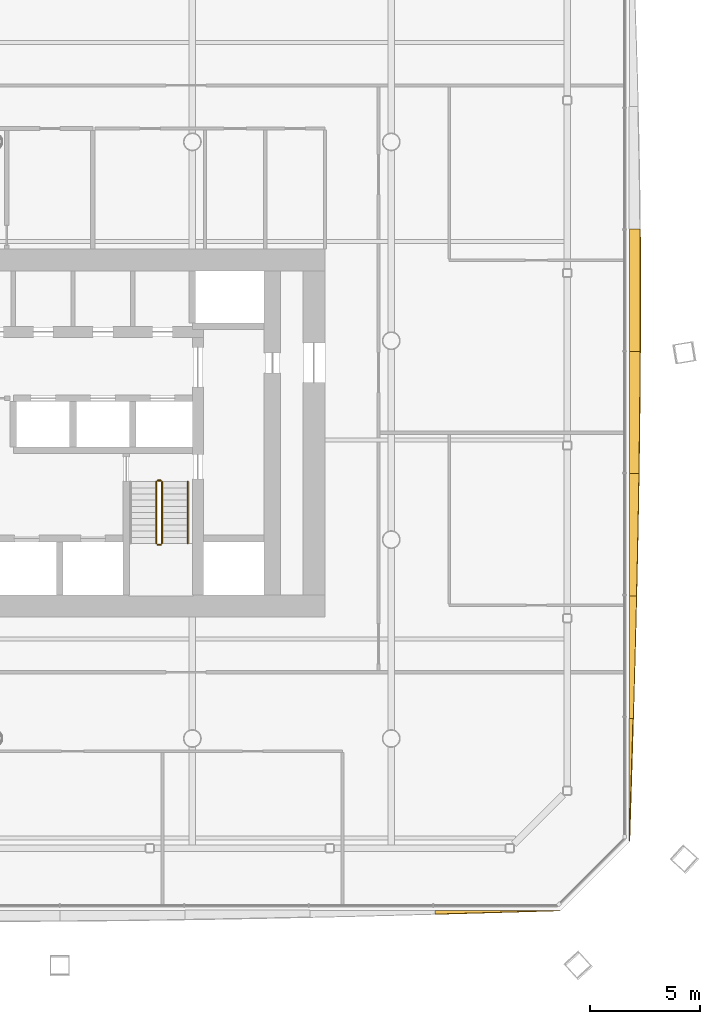
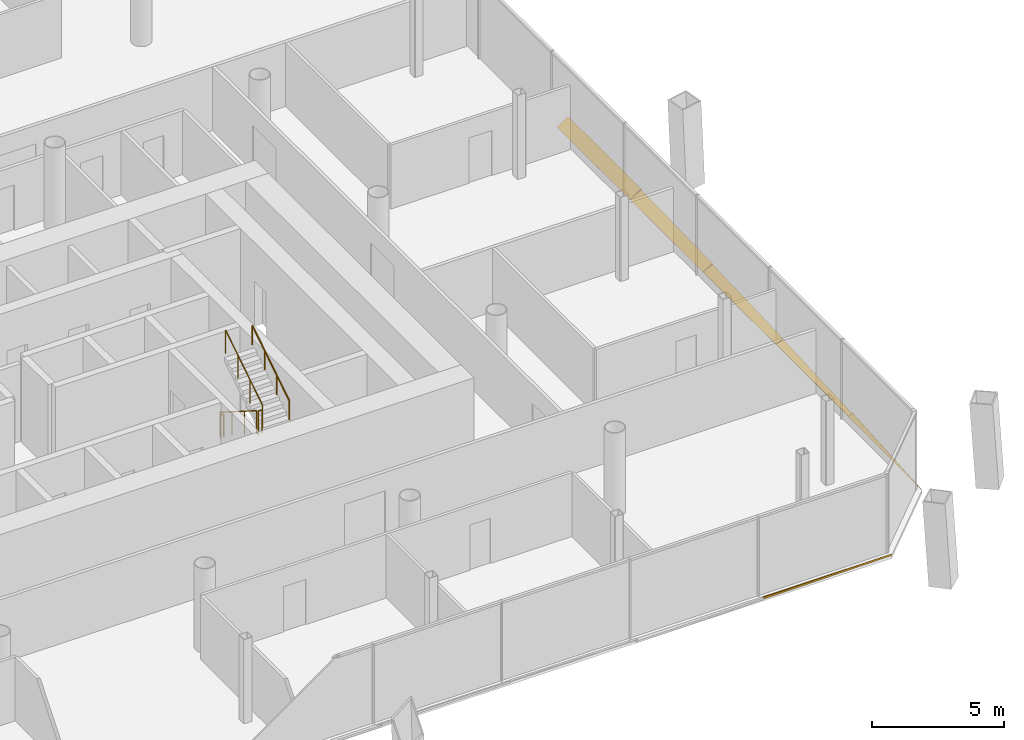
# One storey, part 18 of 20: 6 shading devices, 5 railings.
"""IFC4 building model written with IfcOpenShell, lengths in metres."""

from ifc_helpers import new_model, si_unit, direction, frame, origin, origin_2d, place, context, subcontext, project, spatial, polyline, circle, outline, extrude, material, layer, layer_set, type_object, element, save


model = new_model("IFC4")

# Units and contexts
model_context = context("Model", 3, precision=1e-05, world=origin(), true_north=direction((0.0, 1.0)))
body_context = subcontext(model_context, "Body", "Model", "MODEL_VIEW")
ifc_project = project(units=[si_unit("LENGTHUNIT", "METRE"), si_unit("AREAUNIT", "SQUARE_METRE"), si_unit("VOLUMEUNIT", "CUBIC_METRE"), si_unit("PLANEANGLEUNIT", "RADIAN"), si_unit("MASSUNIT", "GRAM", prefix="KILO")], contexts=[model_context])

# Site, building, storey
site_placement = place(None, origin())
site = spatial("IfcSite", under=ifc_project, at=site_placement, CompositionType="ELEMENT")
building_placement = place(site_placement, origin())
building = spatial("IfcBuilding", under=site, at=building_placement, Name="Tskaro Facet Tower", CompositionType="ELEMENT")
storey_placement = place(building_placement, frame((0.0, 0.0, 69.89990234375)))
storey = spatial("IfcBuildingStorey", under=building, at=storey_placement, Name="L16", CompositionType="ELEMENT", Elevation=69.89990234375)

# Shading devices
ifc_material_1 = material(Name="Bronze anodised aluminium 6063-T6", Category="aluminium")
ifc_layer = layer(ifc_material_1, 0.06005859375, Name="Bronze anodised aluminium 6063-T6")
ifc_layer_set = layer_set([ifc_layer], Name="Bronze anodised aluminium 6063-T6")
shading_device_type = type_object("IfcShadingDeviceType", Name="Bronze sun blade (FN1)", PredefinedType="USERDEFINED", material=ifc_layer_set)
shading_device_1_placement = place(storey_placement, frame((19.976318359375, -25.78369140625, 0.054443359375), z_axis=(1.750533e-06, 0.422978036947, 0.906139934148), x_axis=(0.999999999998, -7.40437e-07, -1.586228e-06)))
element("IfcShadingDevice", 1, at=shading_device_1_placement, inside=storey, type_object=shading_device_type, Name="Fin blade south 8", ObjectType="FIN", PredefinedType="USERDEFINED", context=body_context, shape_type="SweptSolid", body=[
    extrude(outline(polyline([(0.0, 0.0), (5.6586914062413305, 0.0), (4.951416015311651, -0.022713592760361036), (4.243896484325004, -0.04554514496828096), (3.536621093782589, -0.06815547160634026), (2.829345703240172, -0.09076579824439958), (2.1220703125169846, -0.11315489931259826), (1.4145507813752893, -0.1352195086886346), (0.7072753906778229, -0.15706289249481034), (-1.964351925393242e-11, -0.17890627630098604), (0.0, 0.0)])), origin(), (0.0, 0.0, -1.0), 0.06005859375),
])
shading_device_2_placement = place(storey_placement, frame((28.7705078125, -22.635009765625, 0.046142578125), z_axis=(-0.642691050268, -6.797587e-06, 0.766125455692), x_axis=(-4.368749e-06, 0.999999999977, 5.207805e-06)))
element("IfcShadingDevice", 2, at=shading_device_2_placement, inside=storey, type_object=shading_device_type, Name="Fin blade east 1", ObjectType="FIN", PredefinedType="USERDEFINED", context=body_context, shape_type="SweptSolid", body=[
    extrude(outline(polyline([(0.0, 0.0), (5.539062499872029, 0.0), (5.539062500129815, -0.21800158070501957), (4.846679687172129, -0.19149357622657698), (4.154296875281033, -0.16479852940054898), (3.4619140621185003, -0.13794657557982312), (2.769531249817709, -0.11056363006922848), (2.0771484375169176, -0.08318068455863384), (1.3847656250112783, -0.055453789705755895), (0.6923828125056392, -0.027726894852877947), (0.0, 0.0)])), origin(), (0.0, 0.0, -1.0), 0.06005859375),
])
shading_device_3_placement = place(storey_placement, frame((28.78857421875, -17.095947265625, 0.056396484375), z_axis=(-0.342520031381, -9.446816e-06, 0.93951052576), x_axis=(-3.235724e-06, 0.999999999955, 8.875383e-06)))
element("IfcShadingDevice", 3, at=shading_device_3_placement, inside=storey, type_object=shading_device_type, Name="Fin blade east 2", ObjectType="FIN", PredefinedType="USERDEFINED", context=body_context, shape_type="SweptSolid", body=[
    extrude(outline(polyline([(0.0, 0.0), (5.53930664037783, 0.0), (5.539306640723036, -0.3341924880141389), (4.8469238278009605, -0.3165045689371305), (4.154296873666998, -0.2982742814316554), (3.4619140625279403, -0.27935587586529026), (2.7695312508019834, -0.2598951018704584), (2.0771484376991562, -0.24012133213412318), (1.3847656247994031, -0.21957582128235786), (0.6923828126896215, -0.19880093774362917), (-7.970302385019059e-10, -0.17771305846339713), (0.0, 0.0)])), origin(), (0.0, 0.0, -1.0), 0.06005859375),
])
shading_device_4_placement = place(storey_placement, frame((28.78369140625, -11.556640625, 0.054443359375), z_axis=(-0.422749347894, -1.0441903e-05, 0.906246648957), x_axis=(-4.414307e-06, 0.999999999945, 9.462939e-06)))
element("IfcShadingDevice", 4, at=shading_device_4_placement, inside=storey, type_object=shading_device_type, Name="Fin blade east 3", ObjectType="FIN", PredefinedType="USERDEFINED", context=body_context, shape_type="SweptSolid", body=[
    extrude(outline(polyline([(0.0, 0.0), (5.539062499698029, 0.0), (5.539062500123551, -0.4676931529512414), (4.846679686409707, -0.45524495189936665), (4.154296875928996, -0.442132995977614), (3.4619140617505595, -0.42804765431592695), (2.7695312508052568, -0.4132985577843621), (2.077148438472514, -0.3976792858028817), (1.3847656236746189, -0.3814110899947784), (0.6923828121098593, -0.3644791393167972), (-8.423407446502926e-10, -0.34667701318890054), (0.0, 0.0)])), origin(), (0.0, 0.0, -1.0), 0.06005859375),
])
shading_device_5_placement = place(storey_placement, frame((28.779052734375, -6.017578125, 0.052001953125), z_axis=(-0.500129535798, 6.124547e-06, 0.865950603317), x_axis=(3.063067e-06, 0.999999999981, -5.303555e-06)))
element("IfcShadingDevice", 5, at=shading_device_5_placement, inside=storey, type_object=shading_device_type, Name="Fin blade east 4", ObjectType="FIN", PredefinedType="USERDEFINED", context=body_context, shape_type="SweptSolid", body=[
    extrude(outline(polyline([(0.0, 0.0), (5.539062499896115, 0.0), (5.539062499858452, -0.5579502693906725), (4.846679688153641, -0.5528017010913858), (4.154296874752367, -0.5466853759685785), (3.4619140616972617, -0.5396906058063147), (2.7695312502831393, -0.5316952886671412), (2.0771484377195484, -0.5223986990454773), (1.3847656249551328, -0.5125571800433267), (0.6923828123360615, -0.5012922866212328), (-4.838347048180738e-10, -0.48948246381865207), (0.0, 0.0)])), origin(), (0.0, 0.0, -1.0), 0.06005859375),
])
shading_device_6_placement = place(storey_placement, frame((28.774658203125, -0.478515625, 0.04931640625), z_axis=(-0.573571252044, -7.136483e-06, 0.819155674324), x_axis=(-4.093282e-06, 0.999999999975, 5.845891e-06)))
element("IfcShadingDevice", 6, at=shading_device_6_placement, inside=storey, type_object=shading_device_type, Name="Fin blade east 5", ObjectType="FIN", PredefinedType="USERDEFINED", context=body_context, shape_type="SweptSolid", body=[
    extrude(outline(polyline([(0.0, 0.0), (5.53906249985895, 2.3458842172003865e-21), (5.539062500444856, -0.5860028490838243), (4.846679686957496, -0.5921630704437044), (4.154296875184496, -0.5967032606018643), (3.461914061843534, -0.5990033342481178), (2.9245605470879834, -0.5996833766926509), (2.7695312502169314, -0.5996833766926509), (2.0771484378781326, -0.5988033450698109), (1.3847656242556847, -0.5969032497801712), (0.6923828127754796, -0.5937231445110777), (1.1625350698880822e-11, -0.5895229755751844), (0.0, 0.0)])), origin(), (0.0, 0.0, -1.0), 0.06005859375),
])

# Railings
ifc_material_2 = material(Name="Stainless steel", Category="steel")
railing_type_1 = type_object("IfcRailingType", Name="RL-GUARD-1100", PredefinedType="GUARDRAIL", material=ifc_material_2)
railing_1_placement = place(storey_placement, frame((7.375, -6.375, 0.177490234375)))
element("IfcRailing", 7, at=railing_1_placement, inside=storey, type_object=railing_type_1, Name="L16 ST-2 stair guard 1", PredefinedType="GUARDRAIL", context=body_context, shape_type="SweptSolid", body=[
    extrude(circle(Radius=0.02392578125, at=origin_2d()), frame((0.0, 0.0, 1.076171875), z_axis=(0.0, -0.844908973607, 0.534910110503), x_axis=(1.0, 0.0, 0.0)), (0.0, 0.0, 1.0), 3.31396484375),
    extrude(circle(Radius=0.02099609375, at=origin_2d()), origin(), (0.0, 0.0, 1.0), 1.052001953125),
    extrude(circle(Radius=0.02099609375, at=origin_2d()), frame((0.0, -0.933349609375, 0.5908203125)), (0.0, 0.0, 1.0), 1.052001953125),
    extrude(circle(Radius=0.02099609375, at=origin_2d()), frame((0.0, -1.86669921875, 1.181884765625)), (0.0, 0.0, 1.0), 1.052001953125),
    extrude(circle(Radius=0.02099609375, at=origin_2d()), frame((0.0, -2.800048828125, 1.772705078125)), (0.0, 0.0, 1.0), 1.052001953125),
])
railing_2_placement = place(storey_placement, frame((7.425048828125, -9.22509765625, 1.9501953125)))
element("IfcRailing", 8, at=railing_2_placement, inside=storey, type_object=railing_type_1, Name="L16 ST-2 stair guard 2", PredefinedType="GUARDRAIL", context=body_context, shape_type="SweptSolid", body=[
    extrude(circle(Radius=0.02392578125, at=origin_2d()), frame((0.0, 0.0, 1.076171875), z_axis=(1.0, 0.0, 0.0), x_axis=(0.0, 1.0, 0.0)), (0.0, 0.0, 1.0), 0.14990234375),
    extrude(circle(Radius=0.02099609375, at=origin_2d()), origin(), (0.0, 0.0, 1.0), 1.052001953125),
    extrude(circle(Radius=0.02099609375, at=origin_2d()), frame((0.14990234375, 0.0, 0.0)), (0.0, 0.0, 1.0), 1.052001953125),
])
railing_3_placement = place(storey_placement, frame((7.625, -9.175048828125, 2.12744140625)))
element("IfcRailing", 9, at=railing_3_placement, inside=storey, type_object=railing_type_1, Name="L16 ST-2 stair guard 3", PredefinedType="GUARDRAIL", context=body_context, shape_type="SweptSolid", body=[
    extrude(circle(Radius=0.02392578125, at=origin_2d()), frame((0.0, 0.0, 1.076171875), z_axis=(0.0, 0.844908973607, 0.534910110503), x_axis=(-1.0, 0.0, 0.0)), (0.0, 0.0, 1.0), 3.31396484375),
    extrude(circle(Radius=0.02099609375, at=origin_2d()), origin(), (0.0, 0.0, 1.0), 1.052001953125),
    extrude(circle(Radius=0.02099609375, at=origin_2d()), frame((0.0, 0.933349609375, 0.5908203125)), (0.0, 0.0, 1.0), 1.052001953125),
    extrude(circle(Radius=0.02099609375, at=origin_2d()), frame((0.0, 1.86669921875, 1.181884765625)), (0.0, 0.0, 1.0), 1.052001953125),
    extrude(circle(Radius=0.02099609375, at=origin_2d()), frame((0.0, 2.800048828125, 1.772705078125)), (0.0, 0.0, 1.0), 1.052001953125),
])
railing_4_placement = place(storey_placement, frame((7.425048828125, -6.324951171875, 0.0)))
element("IfcRailing", 10, at=railing_4_placement, inside=storey, type_object=railing_type_1, Name="L16 ST-2 stair guard 4", PredefinedType="GUARDRAIL", context=body_context, shape_type="SweptSolid", body=[
    extrude(circle(Radius=0.02392578125, at=origin_2d()), frame((0.0, 0.0, 1.076171875), z_axis=(1.0, 0.0, 0.0), x_axis=(0.0, 1.0, 0.0)), (0.0, 0.0, 1.0), 0.14990234375),
    extrude(circle(Radius=0.02099609375, at=origin_2d()), origin(), (0.0, 0.0, 1.0), 1.052001953125),
    extrude(circle(Radius=0.02099609375, at=origin_2d()), frame((0.14990234375, 0.0, 0.0)), (0.0, 0.0, 1.0), 1.052001953125),
])
railing_type_2 = type_object("IfcRailingType", Name="RL-HANDRAIL-900", PredefinedType="HANDRAIL", material=ifc_material_2)
railing_5_placement = place(storey_placement, frame((8.800048828125, -9.175048828125, 2.12744140625)))
element("IfcRailing", 11, at=railing_5_placement, inside=storey, type_object=railing_type_2, Name="L16 ST-2 stair handrail 2", PredefinedType="HANDRAIL", context=body_context, shape_type="SweptSolid", body=[
    extrude(circle(Radius=0.02392578125, at=origin_2d()), frame((0.0, 0.0, 0.8759765625), z_axis=(0.0, 0.844908973607, 0.534910110503), x_axis=(-1.0, 0.0, 0.0)), (0.0, 0.0, 1.0), 3.31396484375),
    extrude(circle(Radius=0.02099609375, at=origin_2d()), origin(), (0.0, 0.0, 1.0), 0.851806640625),
    extrude(circle(Radius=0.02099609375, at=origin_2d()), frame((0.0, 0.933349609375, 0.5908203125)), (0.0, 0.0, 1.0), 0.851806640625),
    extrude(circle(Radius=0.02099609375, at=origin_2d()), frame((0.0, 1.86669921875, 1.181884765625)), (0.0, 0.0, 1.0), 0.851806640625),
    extrude(circle(Radius=0.02099609375, at=origin_2d()), frame((0.0, 2.800048828125, 1.772705078125)), (0.0, 0.0, 1.0), 0.851806640625),
])

save(model, "model.ifc")
